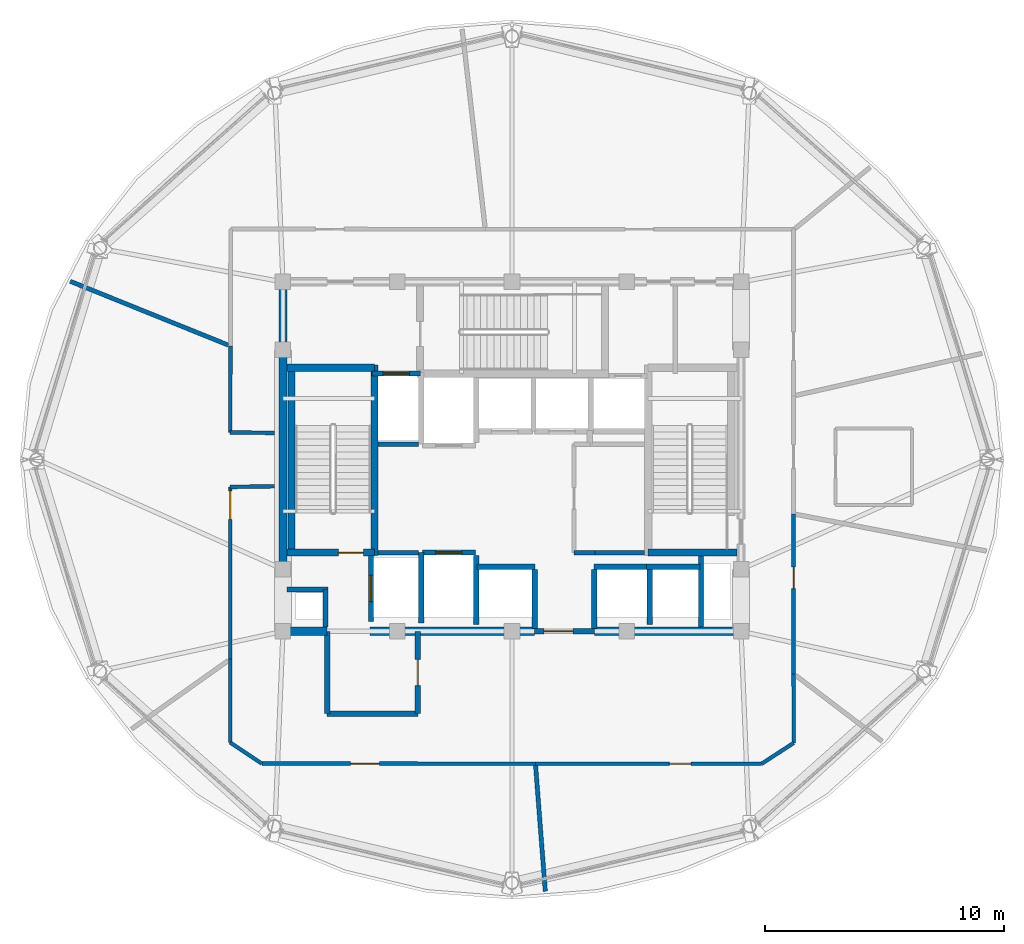
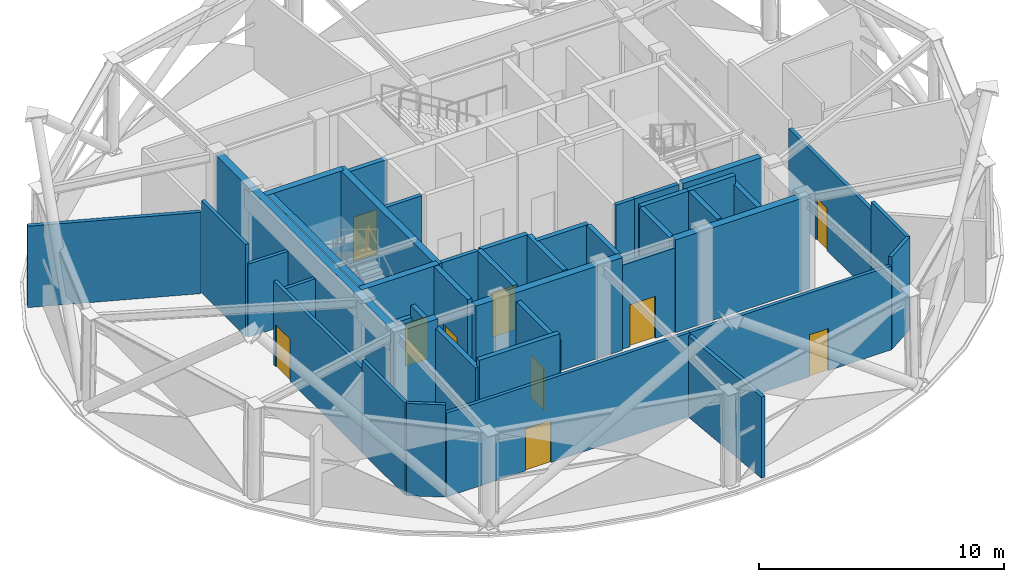
# One storey, part 8 of 14: 44 walls, 10 doors, 10 openings.
"""IFC4 building model written with IfcOpenShell, lengths in metres."""

from ifc_helpers import new_model, si_unit, direction, frame, frame_2d, origin, place, context, subcontext, project, spatial, rectangle, extrude, material, layer, layer_set, type_object, element, fill, save


model = new_model("IFC4")

# Units and contexts
model_context = context("Model", 3, precision=1e-05, world=origin(), true_north=direction((0.0, 1.0)))
body_context = subcontext(model_context, "Body", "Model", "MODEL_VIEW")
ifc_project = project(units=[si_unit("LENGTHUNIT", "METRE"), si_unit("AREAUNIT", "SQUARE_METRE"), si_unit("VOLUMEUNIT", "CUBIC_METRE"), si_unit("PLANEANGLEUNIT", "RADIAN"), si_unit("MASSUNIT", "GRAM", prefix="KILO")], contexts=[model_context])

# Site, building, storey
site_placement = place(None, origin())
site = spatial("IfcSite", under=ifc_project, at=site_placement, CompositionType="ELEMENT")
building_placement = place(site_placement, origin())
building = spatial("IfcBuilding", under=site, at=building_placement, Name="Vantalir Tower", CompositionType="ELEMENT")
storey_placement = place(building_placement, frame((0.0, 0.0, 259.050048828125)))
storey = spatial("IfcBuildingStorey", under=building, at=storey_placement, Name="L65", CompositionType="ELEMENT", Elevation=259.050048828125)

# Walls
ifc_material_1 = material(Name="Concrete C50/60", Category="concrete")
ifc_layer_1 = layer(ifc_material_1, 0.35009765625)
ifc_layer_set_1 = layer_set([ifc_layer_1], Name="Concrete C50/60")
wall_type_1 = type_object("IfcWallType", Name="WL-CORE-350", PredefinedType="SHEAR", material=ifc_layer_set_1)
wall_1_placement = place(storey_placement, frame((21.72509765625, 17.800048828125, 0.0), z_axis=(0.0, 0.0, 1.0), x_axis=(1.0, 0.0, 0.0)))
element("IfcWall", 1, at=wall_1_placement, inside=storey, type_object=wall_type_1, Name="L65 Core Shear Wall South-West", PredefinedType="SHEAR", context=body_context, shape_type="SweptSolid", body=[
    extrude(rectangle(XDim=2.02490234375, YDim=0.35009765625, at=frame_2d((1.012451171875, 0.0))), origin(), (0.0, 0.0, 1.0), 4.619873046875),
])
wall_2_placement = place(storey_placement, frame((25.550048828125, 17.800048828125, 0.0), z_axis=(0.0, 0.0, 1.0), x_axis=(1.0, 0.0, 0.0)))
element("IfcWall", 2, at=wall_2_placement, inside=storey, type_object=wall_type_1, Name="L65 Core Shear Wall South-Mid", PredefinedType="SHEAR", context=body_context, shape_type="SweptSolid", body=[
    extrude(rectangle(XDim=6.89990234375, YDim=0.35009765625, at=frame_2d((3.449951171875, 0.0))), origin(), (0.0, 0.0, 1.0), 4.619873046875),
])
wall_3_placement = place(storey_placement, frame((34.949951171875, 17.800048828125, 0.0), z_axis=(0.0, 0.0, 1.0), x_axis=(1.0, 0.0, 0.0)))
element("IfcWall", 3, at=wall_3_placement, inside=storey, type_object=wall_type_1, Name="L65 Core Shear Wall South-East", PredefinedType="SHEAR", context=body_context, shape_type="SweptSolid", body=[
    extrude(rectangle(XDim=6.324951171875, YDim=0.35009765625, at=frame_2d((3.16259765625, 0.0))), origin(), (0.0, 0.0, 1.0), 4.619873046875),
])
wall_4_placement = place(storey_placement, frame((21.89990234375, 17.97509765625, 0.0), z_axis=(0.0, 0.0, 1.0), x_axis=(0.0, 1.0, 0.0)))
element("IfcWall", 4, at=wall_4_placement, inside=storey, type_object=wall_type_1, Name="L65 Core Shear Wall West", PredefinedType="SHEAR", context=body_context, shape_type="SweptSolid", body=[
    extrude(rectangle(XDim=14.2998046875, YDim=0.35009765625, at=frame_2d((7.14990234375, 0.0))), origin(), (0.0, 0.0, 1.0), 4.619873046875),
])
ifc_material_2 = material(Name="Fire-rated hotel corridor acoustic partition", Category="gypsum")
ifc_layer_2 = layer(ifc_material_2, 0.159912109375)
ifc_layer_set_2 = layer_set([ifc_layer_2], Name="Fire-rated hotel corridor acoustic partition")
wall_type_2 = type_object("IfcWallType", Name="WL-CORR-160", PredefinedType="PARTITIONING", material=ifc_layer_set_2)
wall_5_placement = place(storey_placement, frame((21.544921875, 26.116943359375, 0.0), z_axis=(0.0, 0.0, 1.0), x_axis=(-0.999908513059, 0.0135264745, 0.0)))
element("IfcWall", 5, at=wall_5_placement, inside=storey, type_object=wall_type_2, Name="L65 Corridor Partition 01", PredefinedType="PARTITIONING", context=body_context, shape_type="SweptSolid", body=[
    extrude(rectangle(XDim=1.859130859375, YDim=0.159912109375, at=frame_2d((0.9296875, 0.0))), origin(), (0.0, 0.0, 1.0), 3.64501953125),
])
wall_6_placement = place(storey_placement, frame((19.68603515625, 26.14208984375, 0.0), z_axis=(0.0, 0.0, 1.0), x_axis=(0.002763723857, 0.999996180908, 0.0)))
element("IfcWall", 6, at=wall_6_placement, inside=storey, type_object=wall_type_2, Name="L65 Corridor Partition 02", PredefinedType="PARTITIONING", context=body_context, shape_type="SweptSolid", body=[
    extrude(rectangle(XDim=3.621826171875, YDim=0.159912109375, at=frame_2d((1.81103515625, 0.0))), origin(), (0.0, 0.0, 1.0), 4.599853515625),
])

# Wall, opening, door
wall_7_placement = place(storey_placement, frame((43.303955078125, 22.72607421875, 0.0), z_axis=(0.0, 0.0, 1.0), x_axis=(0.000436744754, -0.999999904627, 0.0)))
wall_7 = element("IfcWall", 7, at=wall_7_placement, inside=storey, type_object=wall_type_2, Name="L65 Corridor Partition 08", PredefinedType="PARTITIONING", context=body_context, shape_type="SweptSolid", body=[
    extrude(rectangle(XDim=6.7080078125, YDim=0.159912109375, at=frame_2d((3.35400390625, 0.0))), origin(), (0.0, 0.0, 1.0), 4.181884765625),
])
opening_1_placement = place(wall_7_placement, frame((2.237060546875, 0.0, 0.0)))
opening_1 = element("IfcOpeningElement", 8, at=opening_1_placement, cuts=wall_7, Name="Opening D-WC", PredefinedType="OPENING", context=body_context, shape_type="SweptSolid", body=[
    extrude(rectangle(XDim=0.89990234375, YDim=2.10009765625, at=frame_2d((0.449951171875, 1.050048828125))), frame((0.0, 0.08984375, 0.0), z_axis=(0.0, -1.0, 0.0), x_axis=(1.0, 0.0, 0.0)), (0.0, 0.0, 1.0), 0.179931640625),
])
ifc_material_3 = material(Name="Moisture-resistant hardwood door", Category="wood")
door_type_1 = type_object("IfcDoorType", Name="DR-ENSUITE-900", OperationType="NOTDEFINED", PredefinedType="DOOR", material=ifc_material_3)
door_1_placement = place(opening_1_placement, origin())
door_1 = element("IfcDoor", 9, at=door_1_placement, inside=storey, type_object=door_type_1, Name="L65 Public Female WC Door", OperationType="SINGLE_SWING_LEFT", OverallHeight=2.10009765625, OverallWidth=0.89990234375, PredefinedType="DOOR", context=body_context, shape_type="SweptSolid", body=[
    extrude(rectangle(XDim=0.89990234375, YDim=2.10009765625, at=frame_2d((0.449951171875, 1.050048828125))), frame((0.0, 0.02490234375, 0.0), z_axis=(0.0, -1.0, 0.0), x_axis=(1.0, 0.0, 0.0)), (0.0, 0.0, 1.0), 0.050048828125),
])
fill(opening_1, door_1)

# Walls
wall_8_placement = place(storey_placement, frame((43.306884765625, 16.01806640625, 0.0), z_axis=(0.0, 0.0, 1.0), x_axis=(0.00075898106, -0.999999711974, 0.0)))
element("IfcWall", 10, at=wall_8_placement, inside=storey, type_object=wall_type_2, Name="L65 Corridor Partition 09", PredefinedType="PARTITIONING", context=body_context, shape_type="SweptSolid", body=[
    extrude(rectangle(XDim=2.89501953125, YDim=0.159912109375, at=frame_2d((1.447509765625, 0.0))), origin(), (0.0, 0.0, 1.0), 4.599853515625),
])
wall_9_placement = place(storey_placement, frame((43.30908203125, 13.123046875, 0.0), z_axis=(0.0, 0.0, 1.0), x_axis=(-0.838600199521, -0.544747377564, 0.0)))
element("IfcWall", 11, at=wall_9_placement, inside=storey, type_object=wall_type_2, Name="L65 Corridor Partition 10", PredefinedType="PARTITIONING", context=body_context, shape_type="SweptSolid", body=[
    extrude(rectangle(XDim=1.602783203125, YDim=0.159912109375, at=frame_2d((0.80126953125, 0.0))), origin(), (0.0, 0.0, 1.0), 4.599853515625),
])

# Wall, opening, door
wall_10_placement = place(storey_placement, frame((41.965087890625, 12.25, 0.0), z_axis=(0.0, 0.0, 1.0), x_axis=(-0.999999952269, 0.000308967775, 0.0)))
wall_10 = element("IfcWall", 12, at=wall_10_placement, inside=storey, type_object=wall_type_2, Name="L65 Corridor Partition 11", PredefinedType="PARTITIONING", context=body_context, shape_type="SweptSolid", body=[
    extrude(rectangle(XDim=9.482177734375, YDim=0.159912109375, at=frame_2d((4.7412109375, 0.0))), origin(), (0.0, 0.0, 1.0), 4.181884765625),
])
opening_2_placement = place(wall_10_placement, frame((2.962890625, 0.0, 0.0)))
opening_2 = element("IfcOpeningElement", 13, at=opening_2_placement, cuts=wall_10, Name="Opening D-WC", PredefinedType="OPENING", context=body_context, shape_type="SweptSolid", body=[
    extrude(rectangle(XDim=0.89990234375, YDim=2.10009765625, at=frame_2d((0.449951171875, 1.050048828125))), frame((0.0, 0.08984375, 0.0), z_axis=(0.0, -1.0, 0.0), x_axis=(1.0, 0.0, 0.0)), (0.0, 0.0, 1.0), 0.179931640625),
])
door_2_placement = place(opening_2_placement, origin())
door_2 = element("IfcDoor", 14, at=door_2_placement, inside=storey, type_object=door_type_1, Name="L65 Public Male WC Door", OperationType="SINGLE_SWING_RIGHT", OverallHeight=2.10009765625, OverallWidth=0.89990234375, PredefinedType="DOOR", context=body_context, shape_type="SweptSolid", body=[
    extrude(rectangle(XDim=0.89990234375, YDim=2.10009765625, at=frame_2d((0.449951171875, 1.050048828125))), frame((0.0, 0.02490234375, 0.0), z_axis=(0.0, -1.0, 0.0), x_axis=(1.0, 0.0, 0.0)), (0.0, 0.0, 1.0), 0.050048828125),
])
fill(opening_2, door_2)

wall_11_placement = place(storey_placement, frame((32.48291015625, 12.2529296875, 0.0), z_axis=(0.0, 0.0, 1.0), x_axis=(-0.999999961716, 0.000276707595, 0.0)))
wall_11 = element("IfcWall", 15, at=wall_11_placement, inside=storey, type_object=wall_type_2, Name="L65 Corridor Partition 12", PredefinedType="PARTITIONING", context=body_context, shape_type="SweptSolid", body=[
    extrude(rectangle(XDim=11.469970703125, YDim=0.159912109375, at=frame_2d((5.73486328125, 0.0))), origin(), (0.0, 0.0, 1.0), 4.181884765625),
])
opening_3_placement = place(wall_11_placement, frame((6.5458984375, 0.0, 0.0)))
opening_3 = element("IfcOpeningElement", 16, at=opening_3_placement, cuts=wall_11, Name="Opening D-STE", PredefinedType="OPENING", context=body_context, shape_type="SweptSolid", body=[
    extrude(rectangle(XDim=1.199951171875, YDim=2.10009765625, at=frame_2d((0.60009765625, 1.050048828125))), frame((0.0, 0.08984375, 0.0), z_axis=(0.0, -1.0, 0.0), x_axis=(1.0, 0.0, 0.0)), (0.0, 0.0, 1.0), 0.179931640625),
])
ifc_material_4 = material(Name="Solid-core teak veneer suite entrance door", Category="wood")
door_type_2 = type_object("IfcDoorType", Name="DR-SUITE-ENTRY-1200", OperationType="NOTDEFINED", PredefinedType="DOOR", material=ifc_material_4)
door_3_placement = place(opening_3_placement, origin())
door_3 = element("IfcDoor", 17, at=door_3_placement, inside=storey, type_object=door_type_2, Name="L65 Executive Sky Boardroom Door", OperationType="SINGLE_SWING_LEFT", OverallHeight=2.10009765625, OverallWidth=1.199951171875, PredefinedType="DOOR", context=body_context, shape_type="SweptSolid", body=[
    extrude(rectangle(XDim=1.199951171875, YDim=2.10009765625, at=frame_2d((0.60009765625, 1.050048828125))), frame((0.0, 0.02490234375, 0.0), z_axis=(0.0, -1.0, 0.0), x_axis=(1.0, 0.0, 0.0)), (0.0, 0.0, 1.0), 0.050048828125),
])
fill(opening_3, door_3)

# Walls
wall_12_placement = place(storey_placement, frame((21.012939453125, 12.256103515625, 0.0), z_axis=(0.0, 0.0, 1.0), x_axis=(-0.832120899069, 0.554594274522, 0.0)))
element("IfcWall", 18, at=wall_12_placement, inside=storey, type_object=wall_type_2, Name="L65 Corridor Partition 13", PredefinedType="PARTITIONING", context=body_context, shape_type="SweptSolid", body=[
    extrude(rectangle(XDim=1.595703125, YDim=0.159912109375, at=frame_2d((0.7978515625, 0.0))), origin(), (0.0, 0.0, 1.0), 4.599853515625),
])
wall_13_placement = place(storey_placement, frame((19.68505859375, 13.14111328125, 0.0), z_axis=(0.0, 0.0, 1.0), x_axis=(0.0, 1.0, 0.0)))
element("IfcWall", 19, at=wall_13_placement, inside=storey, type_object=wall_type_2, Name="L65 Corridor Partition 14", PredefinedType="PARTITIONING", context=body_context, shape_type="SweptSolid", body=[
    extrude(rectangle(XDim=3.490966796875, YDim=0.159912109375, at=frame_2d((1.74560546875, 0.0))), origin(), (0.0, 0.0, 1.0), 4.599853515625),
])

# Wall, opening, door
wall_14_placement = place(storey_placement, frame((19.68505859375, 16.632080078125, 0.0), z_axis=(0.0, 0.0, 1.0), x_axis=(0.0, 1.0, 0.0)))
wall_14 = element("IfcWall", 20, at=wall_14_placement, inside=storey, type_object=wall_type_2, Name="L65 Corridor Partition 15", PredefinedType="PARTITIONING", context=body_context, shape_type="SweptSolid", body=[
    extrude(rectangle(XDim=7.221923828125, YDim=0.159912109375, at=frame_2d((3.61083984375, 0.0))), origin(), (0.0, 0.0, 1.0), 4.181884765625),
])
opening_4_placement = place(wall_14_placement, frame((5.862060546875, 0.0, 0.0)))
opening_4 = element("IfcOpeningElement", 21, at=opening_4_placement, cuts=wall_14, Name="Opening D-STE", PredefinedType="OPENING", context=body_context, shape_type="SweptSolid", body=[
    extrude(rectangle(XDim=1.199951171875, YDim=2.10009765625, at=frame_2d((0.60009765625, 1.050048828125))), frame((0.0, 0.08984375, 0.0), z_axis=(0.0, -1.0, 0.0), x_axis=(1.0, 0.0, 0.0)), (0.0, 0.0, 1.0), 0.179931640625),
])
door_4_placement = place(opening_4_placement, origin())
door_4 = element("IfcDoor", 22, at=door_4_placement, inside=storey, type_object=door_type_2, Name="L65 Hotel Executive Administration Office Door", OperationType="SINGLE_SWING_RIGHT", OverallHeight=2.10009765625, OverallWidth=1.199951171875, PredefinedType="DOOR", context=body_context, shape_type="SweptSolid", body=[
    extrude(rectangle(XDim=1.199951171875, YDim=2.10009765625, at=frame_2d((0.60009765625, 1.050048828125))), frame((0.0, 0.02490234375, 0.0), z_axis=(0.0, -1.0, 0.0), x_axis=(1.0, 0.0, 0.0)), (0.0, 0.0, 1.0), 0.050048828125),
])
fill(opening_4, door_4)

# Walls
wall_15_placement = place(storey_placement, frame((19.68505859375, 23.85400390625, 0.0), z_axis=(0.0, 0.0, 1.0), x_axis=(0.999886077494, 0.015094105922, 0.0)))
element("IfcWall", 23, at=wall_15_placement, inside=storey, type_object=wall_type_2, Name="L65 Corridor Partition 16", PredefinedType="PARTITIONING", context=body_context, shape_type="SweptSolid", body=[
    extrude(rectangle(XDim=1.860107421875, YDim=0.159912109375, at=frame_2d((0.93017578125, 0.0))), origin(), (0.0, 0.0, 1.0), 3.64501953125),
])
ifc_material_5 = material(Name="Concrete blockwork with fireboard lining", Category="masonry")
ifc_layer_3 = layer(ifc_material_5, 0.219970703125)
ifc_layer_set_3 = layer_set([ifc_layer_3], Name="Concrete blockwork with fireboard lining")
wall_type_3 = type_object("IfcWallType", Name="WL-FFL-220", PredefinedType="PARTITIONING", material=ifc_layer_set_3)
wall_16_placement = place(storey_placement, frame((30.0, 18.080078125, 0.0), z_axis=(0.0, 0.0, 1.0), x_axis=(0.0, 1.0, 0.0)))
element("IfcWall", 24, at=wall_16_placement, inside=storey, type_object=wall_type_3, Name="L65 Service Lift SV1 East Shaft Wall", PredefinedType="PARTITIONING", context=body_context, shape_type="SweptSolid", body=[
    extrude(rectangle(XDim=2.89990234375, YDim=0.219970703125, at=frame_2d((1.449951171875, 0.0))), origin(), (0.0, 0.0, 1.0), 4.594970703125),
])
for number, where, z_axis, x_axis, name in (
    (25, (32.449951171875, 17.919921875, 0.0), (0.0, 0.0, 1.0), (0.0, 1.0, 0.0), "L65 Shuttle Lift PL-X1 East Shaft Cheek"),
    (26, (34.949951171875, 17.919921875, 0.0), (0.0, 0.0, 1.0), (0.0, 1.0, 0.0), "L65 Shuttle Lift PL-X3 West Shaft Cheek"),
):
    element("IfcWall", number, at=place(storey_placement, frame(where, z_axis=z_axis, x_axis=x_axis)), inside=storey, type_object=wall_type_3, Name=name, PredefinedType="PARTITIONING", context=body_context, shape_type="SweptSolid", body=[
        extrude(rectangle(XDim=2.469970703125, YDim=0.219970703125, at=frame_2d((1.23486328125, 0.0))), origin(), (0.0, 0.0, 1.0), 4.594970703125),
    ])
wall_17_placement = place(storey_placement, frame((37.27490234375, 18.080078125, 0.0), z_axis=(0.0, 0.0, 1.0), x_axis=(0.0, 1.0, 0.0)))
element("IfcWall", 27, at=wall_17_placement, inside=storey, type_object=wall_type_3, Name="L65 Shuttle Lift PL-X2/X3 Shaft Divider", PredefinedType="PARTITIONING", context=body_context, shape_type="SweptSolid", body=[
    extrude(rectangle(XDim=2.309814453125, YDim=0.219970703125, at=frame_2d((1.15478515625, 0.0))), origin(), (0.0, 0.0, 1.0), 4.594970703125),
])

# Wall, opening, door
wall_18_placement = place(storey_placement, frame((32.449951171875, 17.800048828125, 0.0), z_axis=(0.0, 0.0, 1.0), x_axis=(1.0, 0.0, 0.0)))
wall_18 = element("IfcWall", 28, at=wall_18_placement, inside=storey, type_object=wall_type_3, Name="L65 Passenger Lift Lobby South Wall", PredefinedType="PARTITIONING", context=body_context, shape_type="SweptSolid", body=[
    extrude(rectangle(XDim=2.5, YDim=0.219970703125, at=frame_2d((1.25, 0.0))), origin(), (0.0, 0.0, 1.0), 4.181884765625),
])
opening_5_placement = place(wall_18_placement, frame((0.39990234375, 0.0, 0.0)))
opening_5 = element("IfcOpeningElement", 29, at=opening_5_placement, cuts=wall_18, Name="Opening D-STE", PredefinedType="OPENING", context=body_context, shape_type="SweptSolid", body=[
    extrude(rectangle(XDim=1.199951171875, YDim=2.10009765625, at=frame_2d((0.60009765625, 1.050048828125))), frame((0.0, 0.119873046875, 0.0), z_axis=(0.0, -1.0, 0.0), x_axis=(1.0, 0.0, 0.0)), (0.0, 0.0, 1.0), 0.239990234375),
])
door_5_placement = place(opening_5_placement, origin())
door_5 = element("IfcDoor", 30, at=door_5_placement, inside=storey, type_object=door_type_2, Name="L65 Passenger Lift Lobby Concourse Door", OperationType="SINGLE_SWING_RIGHT", OverallHeight=2.10009765625, OverallWidth=1.199951171875, PredefinedType="DOOR", context=body_context, shape_type="SweptSolid", body=[
    extrude(rectangle(XDim=1.199951171875, YDim=2.10009765625, at=frame_2d((0.60009765625, 1.050048828125))), frame((0.0, 0.02490234375, 0.0), z_axis=(0.0, -1.0, 0.0), x_axis=(1.0, 0.0, 0.0)), (0.0, 0.0, 1.0), 0.050048828125),
])
fill(opening_5, door_5)

# Walls
wall_19_placement = place(storey_placement, frame((23.679931640625, 17.97509765625, 0.0), z_axis=(0.0, 0.0, 1.0), x_axis=(0.0, 1.0, 0.0)))
element("IfcWall", 31, at=wall_19_placement, inside=storey, type_object=wall_type_3, Name="L65 West MEP Riser Wall E", PredefinedType="PARTITIONING", context=body_context, shape_type="SweptSolid", body=[
    extrude(rectangle(XDim=1.574951171875, YDim=0.219970703125, at=frame_2d((0.78759765625, 0.0))), origin(), (0.0, 0.0, 1.0), 4.181884765625),
])
wall_20_placement = place(storey_placement, frame((22.074951171875, 19.550048828125, 0.0), z_axis=(0.0, 0.0, 1.0), x_axis=(1.0, 0.0, 0.0)))
element("IfcWall", 32, at=wall_20_placement, inside=storey, type_object=wall_type_3, Name="L65 West MEP Riser Wall N", PredefinedType="PARTITIONING", context=body_context, shape_type="SweptSolid", body=[
    extrude(rectangle(XDim=1.715087890625, YDim=0.219970703125, at=frame_2d((0.857421875, 0.0))), origin(), (0.0, 0.0, 1.0), 3.64501953125),
])
wall_21_placement = place(storey_placement, frame((39.419921875, 17.97509765625, 0.0), z_axis=(0.0, 0.0, 1.0), x_axis=(0.0, 1.0, 0.0)))
element("IfcWall", 33, at=wall_21_placement, inside=storey, type_object=wall_type_3, Name="L65 East MEP Riser Wall W", PredefinedType="PARTITIONING", context=body_context, shape_type="SweptSolid", body=[
    extrude(rectangle(XDim=2.974853515625, YDim=0.219970703125, at=frame_2d((1.4873046875, 0.0))), origin(), (0.0, 0.0, 1.0), 4.181884765625),
])

# Wall, opening, door
wall_22_placement = place(storey_placement, frame((25.590087890625, 18.219970703125, 0.0), z_axis=(0.0, 0.0, 1.0), x_axis=(0.0, 1.0, 0.0)))
wall_22 = element("IfcWall", 34, at=wall_22_placement, inside=storey, type_object=wall_type_3, Name="L65 Lift FL1 Shaft Front Wall", PredefinedType="PARTITIONING", context=body_context, shape_type="SweptSolid", body=[
    extrude(rectangle(XDim=2.760009765625, YDim=0.219970703125, at=frame_2d((1.3798828125, 0.0))), origin(), (0.0, 0.0, 1.0), 4.599853515625),
])
opening_6_placement = place(wall_22_placement, frame((0.830078125, 0.0, 0.0)))
opening_6 = element("IfcOpeningElement", 35, at=opening_6_placement, cuts=wall_22, Name="Opening LD-FL1", PredefinedType="OPENING", context=body_context, shape_type="SweptSolid", body=[
    extrude(rectangle(XDim=1.10009765625, YDim=2.199951171875, at=frame_2d((0.550048828125, 1.10009765625))), frame((0.0, 0.119873046875, 0.0), z_axis=(0.0, -1.0, 0.0), x_axis=(1.0, 0.0, 0.0)), (0.0, 0.0, 1.0), 0.239990234375),
])
ifc_material_6 = material(Name="Brushed stainless-steel sliding lift landing door", Category="steel")
door_type_3 = type_object("IfcDoorType", Name="DR-LIFT-LANDING-1100", OperationType="DOUBLE_DOOR_SLIDING", PredefinedType="DOOR", material=ifc_material_6)
door_6_placement = place(opening_6_placement, origin())
door_6 = element("IfcDoor", 36, at=door_6_placement, inside=storey, type_object=door_type_3, Name="L65 Lift Landing Door FL1", OperationType="DOUBLE_DOOR_SLIDING", OverallHeight=2.199951171875, OverallWidth=1.10009765625, PredefinedType="DOOR", context=body_context, shape_type="SweptSolid", body=[
    extrude(rectangle(XDim=1.10009765625, YDim=2.199951171875, at=frame_2d((0.550048828125, 1.10009765625))), frame((0.0, 0.02490234375, 0.0), z_axis=(0.0, -1.0, 0.0), x_axis=(1.0, 0.0, 0.0)), (0.0, 0.0, 1.0), 0.050048828125),
])
fill(opening_6, door_6)

wall_23_placement = place(storey_placement, frame((25.639892578125, 28.610107421875, 0.0), z_axis=(0.0, 0.0, 1.0), x_axis=(1.0, 0.0, 0.0)))
wall_23 = element("IfcWall", 37, at=wall_23_placement, inside=storey, type_object=wall_type_3, Name="L65 Lift FL2 Shaft Front Wall", PredefinedType="PARTITIONING", context=body_context, shape_type="SweptSolid", body=[
    extrude(rectangle(XDim=2.02001953125, YDim=0.219970703125, at=frame_2d((1.010009765625, 0.0))), origin(), (0.0, 0.0, 1.0), 4.599853515625),
])
opening_7_placement = place(wall_23_placement, frame((0.4599609375, 0.0, 0.0)))
opening_7 = element("IfcOpeningElement", 38, at=opening_7_placement, cuts=wall_23, Name="Opening LD-FL2", PredefinedType="OPENING", context=body_context, shape_type="SweptSolid", body=[
    extrude(rectangle(XDim=1.10009765625, YDim=2.199951171875, at=frame_2d((0.550048828125, 1.10009765625))), frame((0.0, 0.119873046875, 0.0), z_axis=(0.0, -1.0, 0.0), x_axis=(1.0, 0.0, 0.0)), (0.0, 0.0, 1.0), 0.239990234375),
])
door_7_placement = place(opening_7_placement, origin())
door_7 = element("IfcDoor", 39, at=door_7_placement, inside=storey, type_object=door_type_3, Name="L65 Lift Landing Door FL2", OperationType="DOUBLE_DOOR_SLIDING", OverallHeight=2.199951171875, OverallWidth=1.10009765625, PredefinedType="DOOR", context=body_context, shape_type="SweptSolid", body=[
    extrude(rectangle(XDim=1.10009765625, YDim=2.199951171875, at=frame_2d((0.550048828125, 1.10009765625))), frame((0.0, 0.02490234375, 0.0), z_axis=(0.0, -1.0, 0.0), x_axis=(1.0, 0.0, 0.0)), (0.0, 0.0, 1.0), 0.050048828125),
])
fill(opening_7, door_7)

wall_24_placement = place(storey_placement, frame((27.739990234375, 21.110107421875, 0.0), z_axis=(0.0, 0.0, 1.0), x_axis=(1.0, 0.0, 0.0)))
wall_24 = element("IfcWall", 40, at=wall_24_placement, inside=storey, type_object=wall_type_3, Name="L65 Lift SV1 Shaft Front Wall", PredefinedType="PARTITIONING", context=body_context, shape_type="SweptSolid", body=[
    extrude(rectangle(XDim=2.219970703125, YDim=0.219970703125, at=frame_2d((1.10986328125, 0.0))), origin(), (0.0, 0.0, 1.0), 4.599853515625),
])
opening_8_placement = place(wall_24_placement, frame((0.56005859375, 0.0, 0.0)))
opening_8 = element("IfcOpeningElement", 41, at=opening_8_placement, cuts=wall_24, Name="Opening LD-SV1", PredefinedType="OPENING", context=body_context, shape_type="SweptSolid", body=[
    extrude(rectangle(XDim=1.10009765625, YDim=2.199951171875, at=frame_2d((0.550048828125, 1.10009765625))), frame((0.0, 0.119873046875, 0.0), z_axis=(0.0, -1.0, 0.0), x_axis=(1.0, 0.0, 0.0)), (0.0, 0.0, 1.0), 0.239990234375),
])
door_8_placement = place(opening_8_placement, origin())
door_8 = element("IfcDoor", 42, at=door_8_placement, inside=storey, type_object=door_type_3, Name="L65 Lift Landing Door SV1", OperationType="DOUBLE_DOOR_SLIDING", OverallHeight=2.199951171875, OverallWidth=1.10009765625, PredefinedType="DOOR", context=body_context, shape_type="SweptSolid", body=[
    extrude(rectangle(XDim=1.10009765625, YDim=2.199951171875, at=frame_2d((0.550048828125, 1.10009765625))), frame((0.0, 0.02490234375, 0.0), z_axis=(0.0, -1.0, 0.0), x_axis=(1.0, 0.0, 0.0)), (0.0, 0.0, 1.0), 0.050048828125),
])
fill(opening_8, door_8)

# Walls
wall_25_placement = place(storey_placement, frame((30.0400390625, 20.510009765625, 0.0), z_axis=(0.0, 0.0, 1.0), x_axis=(1.0, 0.0, 0.0)))
element("IfcWall", 43, at=wall_25_placement, inside=storey, type_object=wall_type_3, Name="L65 Lift PL-X1 Shaft Front Wall", PredefinedType="PARTITIONING", context=body_context, shape_type="SweptSolid", body=[
    extrude(rectangle(XDim=2.419921875, YDim=0.219970703125, at=frame_2d((1.2099609375, 0.0))), origin(), (0.0, 0.0, 1.0), 4.599853515625),
])
for number, where, z_axis, x_axis, name in (
    (44, (37.139892578125, 20.510009765625, 0.0), (0.0, 0.0, 1.0), (1.0, 0.0, 0.0), "L65 Lift PL-X2 Shaft Rear Wall"),
    (45, (34.93994140625, 20.510009765625, 0.0), (0.0, 0.0, 1.0), (1.0, 0.0, 0.0), "L65 Lift PL-X3 Shaft Front Wall"),
):
    element("IfcWall", number, at=place(storey_placement, frame(where, z_axis=z_axis, x_axis=x_axis)), inside=storey, type_object=wall_type_3, Name=name, PredefinedType="PARTITIONING", context=body_context, shape_type="SweptSolid", body=[
        extrude(rectangle(XDim=2.239990234375, YDim=0.219970703125, at=frame_2d((1.1201171875, 0.0))), origin(), (0.0, 0.0, 1.0), 4.599853515625),
    ])
wall_26_placement = place(storey_placement, frame((27.699951171875, 18.14990234375, 0.0), z_axis=(0.0, 0.0, 1.0), x_axis=(0.0, 1.0, 0.0)))
element("IfcWall", 46, at=wall_26_placement, inside=storey, type_object=wall_type_3, Name="L65 Fire Lift FL1 Dividing Wall", PredefinedType="PARTITIONING", context=body_context, shape_type="SweptSolid", body=[
    extrude(rectangle(XDim=2.9501953125, YDim=0.219970703125, at=frame_2d((1.47509765625, 0.0))), origin(), (0.0, 0.0, 1.0), 4.599853515625),
])
wall_27_placement = place(storey_placement, frame((23.75, 14.35009765625, 0.0), z_axis=(0.0, 0.0, 1.0), x_axis=(0.0, 1.0, 0.0)))
element("IfcWall", 47, at=wall_27_placement, inside=storey, type_object=wall_type_3, Name="L65 Firefighting Lobby West Outer W", PredefinedType="PARTITIONING", context=body_context, shape_type="SweptSolid", body=[
    extrude(rectangle(XDim=3.449951171875, YDim=0.219970703125, at=frame_2d((1.72509765625, 0.0))), origin(), (0.0, 0.0, 1.0), 4.181884765625),
])
wall_28_placement = place(storey_placement, frame((23.75, 14.35009765625, 0.0), z_axis=(0.0, 0.0, 1.0), x_axis=(1.0, 0.0, 0.0)))
element("IfcWall", 48, at=wall_28_placement, inside=storey, type_object=wall_type_3, Name="L65 Firefighting Lobby West South Wall", PredefinedType="PARTITIONING", context=body_context, shape_type="SweptSolid", body=[
    extrude(rectangle(XDim=3.800048828125, YDim=0.219970703125, at=frame_2d((1.89990234375, 0.0))), origin(), (0.0, 0.0, 1.0), 4.599853515625),
])

# Wall, opening, door
wall_29_placement = place(storey_placement, frame((27.550048828125, 14.35009765625, 0.0), z_axis=(0.0, 0.0, 1.0), x_axis=(0.0, 1.0, 0.0)))
wall_29 = element("IfcWall", 49, at=wall_29_placement, inside=storey, type_object=wall_type_3, Name="L65 Firefighting Lobby West East Wall", PredefinedType="PARTITIONING", context=body_context, shape_type="SweptSolid", body=[
    extrude(rectangle(XDim=3.449951171875, YDim=0.219970703125, at=frame_2d((1.72509765625, 0.0))), origin(), (0.0, 0.0, 1.0), 4.181884765625),
])
opening_9_placement = place(wall_29_placement, frame((1.175048828125, 0.0, 0.0)))
opening_9 = element("IfcOpeningElement", 50, at=opening_9_placement, cuts=wall_29, Name="Opening D-FFL", PredefinedType="OPENING", context=body_context, shape_type="SweptSolid", body=[
    extrude(rectangle(XDim=1.10009765625, YDim=2.10009765625, at=frame_2d((0.550048828125, 1.050048828125))), frame((0.0, 0.119873046875, 0.0), z_axis=(0.0, -1.0, 0.0), x_axis=(1.0, 0.0, 0.0)), (0.0, 0.0, 1.0), 0.239990234375),
])
ifc_material_7 = material(Name="Fire-rated acoustic steel door", Category="steel")
door_type_4 = type_object("IfcDoorType", Name="DR-FIRE-LOBBY-1100", OperationType="NOTDEFINED", PredefinedType="DOOR", material=ifc_material_7)
door_9_placement = place(opening_9_placement, origin())
door_9 = element("IfcDoor", 51, at=door_9_placement, inside=storey, type_object=door_type_4, Name="L65 Firefighting Lobby West Access Door", OperationType="SINGLE_SWING_RIGHT", OverallHeight=2.10009765625, OverallWidth=1.10009765625, PredefinedType="DOOR", context=body_context, shape_type="SweptSolid", body=[
    extrude(rectangle(XDim=1.10009765625, YDim=2.10009765625, at=frame_2d((0.550048828125, 1.050048828125))), frame((0.0, 0.02490234375, 0.0), z_axis=(0.0, -1.0, 0.0), x_axis=(1.0, 0.0, 0.0)), (0.0, 0.0, 1.0), 0.050048828125),
])
fill(opening_9, door_9)

# Walls
ifc_material_8 = material(Name="Twin-stud acoustic fire-rated gypsum partition", Category="gypsum")
ifc_layer_4 = layer(ifc_material_8, 0.179931640625)
ifc_layer_set_4 = layer_set([ifc_layer_4], Name="Twin-stud acoustic fire-rated gypsum partition")
wall_type_4 = type_object("IfcWallType", Name="WL-GUEST-180", PredefinedType="PARTITIONING", material=ifc_layer_set_4)
for number, where, z_axis, x_axis, name in (
    (52, (25.889892578125, 21.10009765625, 0.0), (0.0, 0.0, 1.0), (1.0, 0.0, 0.0), "L65 Freed West Core South Wall"),
    (53, (25.889892578125, 25.64990234375, 0.0), (0.0, 0.0, 1.0), (1.0, 0.0, 0.0), "L65 Freed West Core North Wall"),
):
    element("IfcWall", number, at=place(storey_placement, frame(where, z_axis=z_axis, x_axis=x_axis)), inside=storey, type_object=wall_type_4, Name=name, PredefinedType="PARTITIONING", context=body_context, shape_type="SweptSolid", body=[
        extrude(rectangle(XDim=1.7001953125, YDim=0.179931640625, at=frame_2d((0.85009765625, 0.0))), origin(), (0.0, 0.0, 1.0), 4.599853515625),
    ])
wall_30_placement = place(storey_placement, frame((34.97998046875, 21.10009765625, 0.0), z_axis=(0.0, 0.0, 1.0), x_axis=(1.0, 0.0, 0.0)))
element("IfcWall", 54, at=wall_30_placement, inside=storey, type_object=wall_type_4, Name="L65 Freed East Core South Wall", PredefinedType="PARTITIONING", context=body_context, shape_type="SweptSolid", body=[
    extrude(rectangle(XDim=2.080078125, YDim=0.179931640625, at=frame_2d((1.0400390625, 0.0))), origin(), (0.0, 0.0, 1.0), 4.599853515625),
])
wall_31_placement = place(storey_placement, frame((34.10009765625, 21.10009765625, 0.0), z_axis=(0.0, 0.0, 1.0), x_axis=(1.0, 0.0, 0.0)))
element("IfcWall", 55, at=wall_31_placement, inside=storey, type_object=wall_type_4, Name="L65 East Core Room South Return", PredefinedType="PARTITIONING", context=body_context, shape_type="SweptSolid", body=[
    extrude(rectangle(XDim=0.8798828125, YDim=0.179931640625, at=frame_2d((0.43994140625, 0.0))), origin(), (0.0, 0.0, 1.0), 4.599853515625),
])
wall_32_placement = place(storey_placement, frame((19.610107421875, 29.799072265625, 0.0), z_axis=(0.0, 0.0, 1.0), x_axis=(-0.92730592059, 0.374304327571, 0.0)))
element("IfcWall", 56, at=wall_32_placement, inside=storey, type_object=wall_type_4, Name="L65 Radial Suite Partition 04", PredefinedType="PARTITIONING", context=body_context, shape_type="SweptSolid", body=[
    extrude(rectangle(XDim=7.146728515625, YDim=0.179931640625, at=frame_2d((3.5732421875, 0.0))), origin(), (0.0, 0.0, 1.0), 4.052978515625),
])
wall_33_placement = place(storey_placement, frame((32.489013671875, 12.175048828125, 0.0), z_axis=(0.0, 0.0, 1.0), x_axis=(0.07699672258, -0.997031345902, 0.0)))
element("IfcWall", 57, at=wall_33_placement, inside=storey, type_object=wall_type_4, Name="L65 Radial Suite Partition 06", PredefinedType="PARTITIONING", context=body_context, shape_type="SweptSolid", body=[
    extrude(rectangle(XDim=5.28564453125, YDim=0.179931640625, at=frame_2d((2.642822265625, 0.0))), origin(), (0.0, 0.0, 1.0), 4.052978515625),
])

# Wall, opening, door
ifc_layer_5 = layer(ifc_material_1, 0.300048828125)
ifc_layer_set_5 = layer_set([ifc_layer_5], Name="Concrete C50/60")
wall_type_5 = type_object("IfcWallType", Name="WL-STAIR-300", PredefinedType="SHEAR", material=ifc_layer_set_5)
wall_34_placement = place(storey_placement, frame((22.074951171875, 21.10009765625, 0.0), z_axis=(0.0, 0.0, 1.0), x_axis=(1.0, 0.0, 0.0)))
wall_34 = element("IfcWall", 58, at=wall_34_placement, inside=storey, type_object=wall_type_5, Name="L65 Stair ST1 South Wall", PredefinedType="SHEAR", context=body_context, shape_type="SweptSolid", body=[
    extrude(rectangle(XDim=3.6650390625, YDim=0.300048828125, at=frame_2d((1.83251953125, 0.0))), origin(), (0.0, 0.0, 1.0), 4.619873046875),
])
opening_10_placement = place(wall_34_placement, frame((2.14501953125, 0.0, 0.0)))
opening_10 = element("IfcOpeningElement", 59, at=opening_10_placement, cuts=wall_34, Name="Opening D-ST", PredefinedType="OPENING", context=body_context, shape_type="SweptSolid", body=[
    extrude(rectangle(XDim=1.050048828125, YDim=2.10009765625, at=frame_2d((0.52490234375, 1.050048828125))), frame((0.0, 0.159912109375, 0.0), z_axis=(0.0, -1.0, 0.0), x_axis=(1.0, 0.0, 0.0)), (0.0, 0.0, 1.0), 0.320068359375),
])
ifc_material_9 = material(Name="Fire-rated steel door leaf", Category="steel")
door_type_5 = type_object("IfcDoorType", Name="DR-FIRE-STAIR-1050", OperationType="NOTDEFINED", PredefinedType="DOOR", material=ifc_material_9)
door_10_placement = place(opening_10_placement, origin())
door_10 = element("IfcDoor", 60, at=door_10_placement, inside=storey, type_object=door_type_5, Name="L65 Exit Stair ST1 Fire Door", OperationType="SINGLE_SWING_RIGHT", OverallHeight=2.10009765625, OverallWidth=1.050048828125, PredefinedType="DOOR", context=body_context, shape_type="SweptSolid", body=[
    extrude(rectangle(XDim=1.050048828125, YDim=2.10009765625, at=frame_2d((0.52490234375, 1.050048828125))), frame((0.0, 0.02490234375, 0.0), z_axis=(0.0, -1.0, 0.0), x_axis=(1.0, 0.0, 0.0)), (0.0, 0.0, 1.0), 0.050048828125),
])
fill(opening_10, door_10)

# Walls
wall_35_placement = place(storey_placement, frame((22.074951171875, 28.85009765625, 0.0), z_axis=(0.0, 0.0, 1.0), x_axis=(1.0, 0.0, 0.0)))
element("IfcWall", 61, at=wall_35_placement, inside=storey, type_object=wall_type_5, Name="L65 Stair ST1 North Wall", PredefinedType="SHEAR", context=body_context, shape_type="SweptSolid", body=[
    extrude(rectangle(XDim=3.6650390625, YDim=0.300048828125, at=frame_2d((1.83251953125, 0.0))), origin(), (0.0, 0.0, 1.0), 4.619873046875),
])
wall_36_placement = place(storey_placement, frame((25.739990234375, 20.97998046875, 0.0), z_axis=(0.0, 0.0, 1.0), x_axis=(0.0, 1.0, 0.0)))
element("IfcWall", 62, at=wall_36_placement, inside=storey, type_object=wall_type_5, Name="L65 Stair ST1 East Wall", PredefinedType="SHEAR", context=body_context, shape_type="SweptSolid", body=[
    extrude(rectangle(XDim=7.989990234375, YDim=0.300048828125, at=frame_2d((3.9951171875, 0.0))), origin(), (0.0, 0.0, 1.0), 4.619873046875),
])
wall_37_placement = place(storey_placement, frame((22.260009765625, 21.10009765625, 0.0), z_axis=(0.0, 0.0, 1.0), x_axis=(0.0, 1.0, 0.0)))
element("IfcWall", 63, at=wall_37_placement, inside=storey, type_object=wall_type_5, Name="L65 Stair ST1 West Liner Wall", PredefinedType="SHEAR", context=body_context, shape_type="SweptSolid", body=[
    extrude(rectangle(XDim=7.75, YDim=0.300048828125, at=frame_2d((3.875, 0.0))), origin(), (0.0, 0.0, 1.0), 4.619873046875),
])
wall_38_placement = place(storey_placement, frame((37.2099609375, 21.10009765625, 0.0), z_axis=(0.0, 0.0, 1.0), x_axis=(1.0, 0.0, 0.0)))
element("IfcWall", 64, at=wall_38_placement, inside=storey, type_object=wall_type_5, Name="L65 Stair ST2 South Wall", PredefinedType="SHEAR", context=body_context, shape_type="SweptSolid", body=[
    extrude(rectangle(XDim=3.715087890625, YDim=0.300048828125, at=frame_2d((1.857421875, 0.0))), origin(), (0.0, 0.0, 1.0), 4.619873046875),
])

save(model, "model.ifc")
